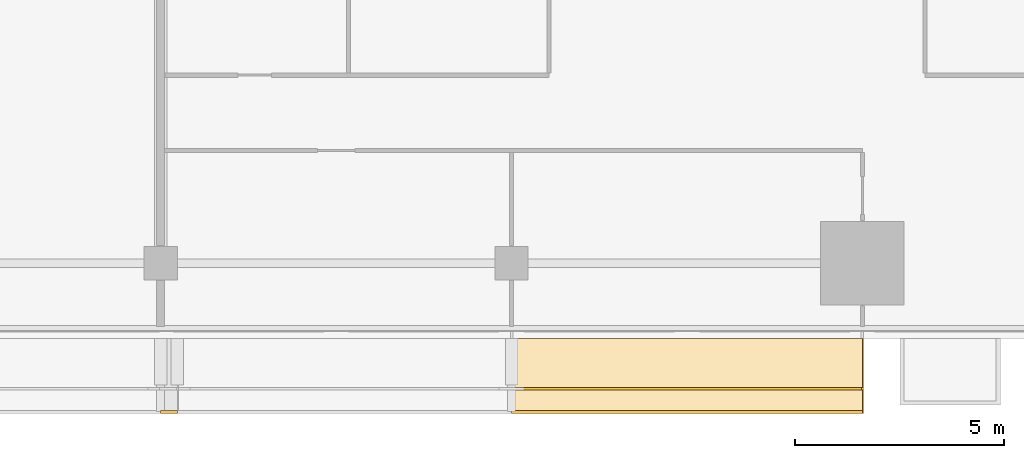
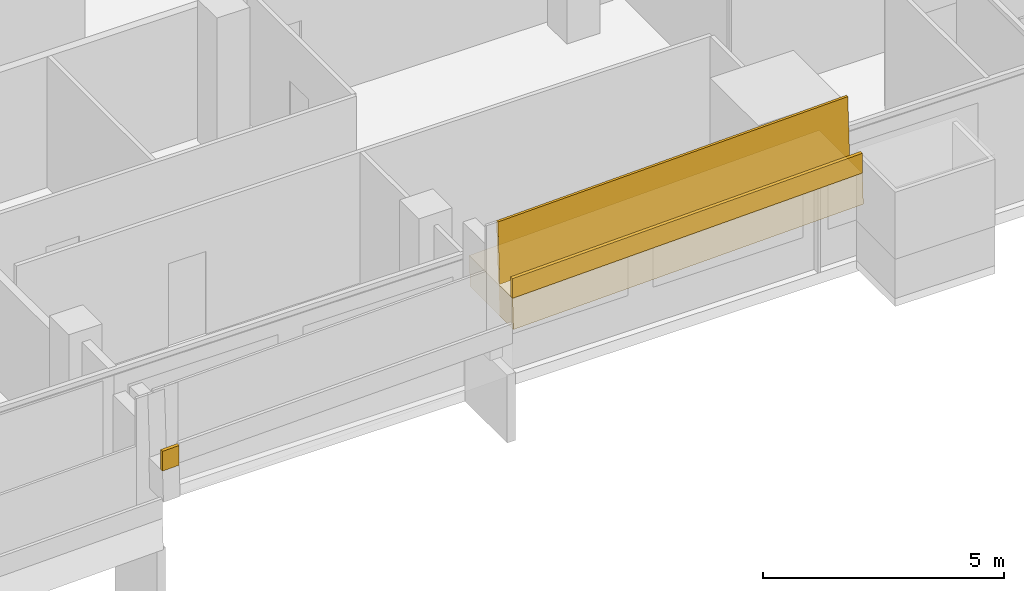
# One storey, part 26 of 26: 3 coverings, 1 railing.
"""IFC4 building model written with IfcOpenShell, lengths in metres."""

from ifc_helpers import new_model, si_unit, direction, frame, origin, origin_2d, place, context, subcontext, project, spatial, polyline, rectangle, outline, extrude, material, layer, layer_set, type_object, element, save


model = new_model("IFC4")

# Units and contexts
model_context = context("Model", 3, precision=1e-05, world=origin(), true_north=direction((0.0, 1.0)))
body_context = subcontext(model_context, "Body", "Model", "MODEL_VIEW")
ifc_project = project(units=[si_unit("LENGTHUNIT", "METRE"), si_unit("AREAUNIT", "SQUARE_METRE"), si_unit("VOLUMEUNIT", "CUBIC_METRE"), si_unit("PLANEANGLEUNIT", "RADIAN"), si_unit("MASSUNIT", "GRAM", prefix="KILO")], contexts=[model_context])

# Site, building, storey
site_placement = place(None, origin())
site = spatial("IfcSite", under=ifc_project, at=site_placement, CompositionType="ELEMENT")
building_placement = place(site_placement, origin())
building = spatial("IfcBuilding", under=site, at=building_placement, Name="Saffron Gate Tower", CompositionType="ELEMENT")
storey_placement = place(building_placement, frame((0.0, 0.0, 102.449951171875)))
storey = spatial("IfcBuildingStorey", under=building, at=storey_placement, Name="L23", CompositionType="ELEMENT", Elevation=102.449951171875)

# Coverings
ifc_material = material(Name="Timber, thermally modified ash", Category="wood")
ifc_layer_1 = layer(ifc_material, 0.800048828125)
ifc_layer_set_1 = layer_set([ifc_layer_1], Name="LD1 ledge timber")
covering_type_1 = type_object("IfcCoveringType", Name="LD1 ledge timber", PredefinedType="CLADDING", material=ifc_layer_set_1)
covering_1_placement = place(storey_placement, frame((108.60009765625, 30.0, 3.38427734375), z_axis=(-0.028791175352, 0.0, 0.999585448184), x_axis=(0.999585448184, 0.0, 0.028791175352)))
element("IfcCovering", 1, at=covering_1_placement, inside=storey, type_object=covering_type_1, Name="LEDGE", PredefinedType="CLADDING", context=body_context, shape_type="SweptSolid", body=[
    extrude(outline(polyline([(0.0, 0.0), (8.403385982666892, 0.0), (8.403385982666892, -1.800048828125), (0.0, -1.800048828125), (0.0, 0.0)])), origin(), (0.0, 0.0, -1.0), 0.800048828125),
])
ifc_layer_2 = layer(ifc_material, 0.080078125)
ifc_layer_set_2 = layer_set([ifc_layer_2], Name="LD2 ledge planter trough")
covering_type_2 = type_object("IfcCoveringType", Name="LD2 ledge planter trough", PredefinedType="CLADDING", material=ifc_layer_set_2)
covering_2_placement = place(storey_placement, frame((100.199951171875, 28.199951171875, 1.94189453125), z_axis=(0.0, -1.0, 0.0), x_axis=(0.999571436364, 0.0, 0.029273599113)))
element("IfcCovering", 2, at=covering_2_placement, inside=storey, type_object=covering_type_2, Name="LEDGE planter trough", PredefinedType="CLADDING", context=body_context, shape_type="SweptSolid", body=[
    extrude(outline(polyline([(0.0, 0.0), (0.40031804613236543, 0.0), (0.4149548456886427, 0.4997857181820519), (0.014636799556277297, 0.49978571818205186), (0.0, 0.0)])), origin(), (0.0, 0.0, -1.0), 0.080078125),
])
covering_3_placement = place(storey_placement, frame((108.60009765625, 28.199951171875, 3.38427734375), z_axis=(0.0, -1.0, 0.0), x_axis=(0.999585448184, 0.0, 0.028791175352)))
element("IfcCovering", 3, at=covering_3_placement, inside=storey, type_object=covering_type_2, Name="LEDGE planter trough", PredefinedType="CLADDING", context=body_context, shape_type="SweptSolid", body=[
    extrude(outline(polyline([(0.0, 0.0), (8.403385982666892, 0.0), (8.417781570342743, 0.49979272409216496), (0.014395587675851172, 0.4997927240921649), (0.0, 0.0)])), origin(), (0.0, 0.0, -1.0), 0.080078125),
])

# Railing
railing_type = type_object("IfcRailingType", Name="LG1 ledge balustrade", PredefinedType="BALUSTRADE", material=ifc_material)
railing_placement = place(storey_placement, frame((108.60009765625, 28.800048828125, 3.38427734375)))
element("IfcRailing", 4, at=railing_placement, inside=storey, type_object=railing_type, Name="LEDGE BALUSTRADE", PredefinedType="BALUSTRADE", context=body_context, shape_type="SweptSolid", body=[
    extrude(rectangle(XDim=0.06005859375, YDim=1.60009765625, at=origin_2d()), frame((0.0, 0.0, 0.800048828125), z_axis=(0.999585448184, 0.0, 0.028791175352), x_axis=(0.0, 1.0, 0.0)), (0.0, 0.0, 1.0), 8.4033203125),
])

save(model, "model.ifc")
